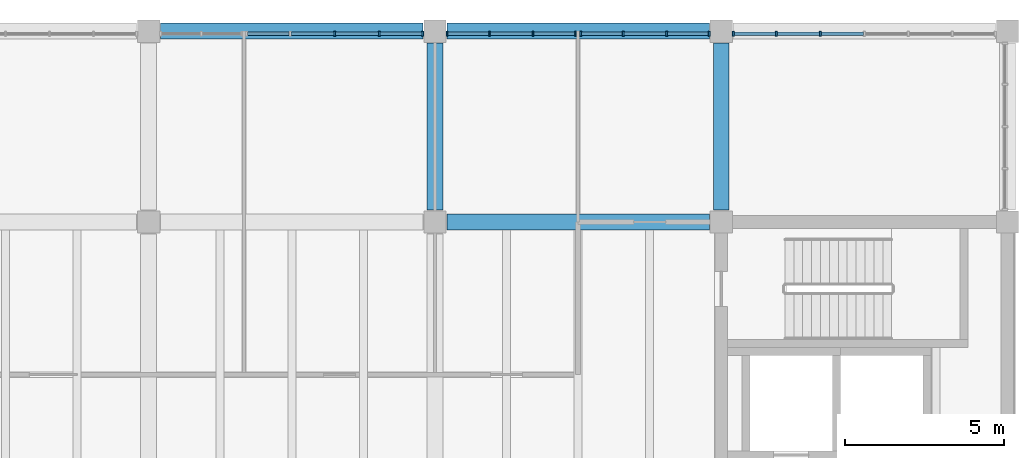
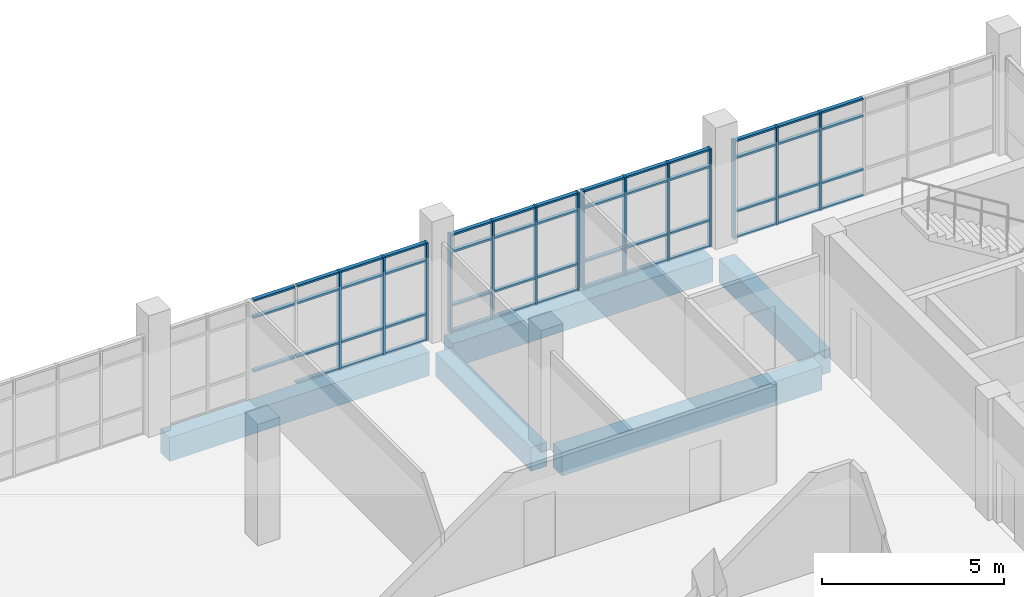
# One storey, part 5 of 14: 65 members, 5 beams, 4 elements without a shape of their own.
"""IFC4 building model written with IfcOpenShell, lengths in metres."""

from ifc_helpers import new_model, si_unit, direction, frame, origin, origin_2d, place, context, subcontext, project, spatial, rectangle, extrude, material, material_profile, profile_set, type_object, element, aggregate, save


model = new_model("IFC4")

# Units and contexts
model_context = context("Model", 3, precision=1e-05, world=origin(), true_north=direction((0.0, 1.0)))
body_context = subcontext(model_context, "Body", "Model", "MODEL_VIEW")
ifc_project = project(units=[si_unit("LENGTHUNIT", "METRE"), si_unit("AREAUNIT", "SQUARE_METRE"), si_unit("VOLUMEUNIT", "CUBIC_METRE"), si_unit("PLANEANGLEUNIT", "RADIAN"), si_unit("MASSUNIT", "GRAM", prefix="KILO")], contexts=[model_context])

# Site, building, storey
site_placement = place(None, origin())
site = spatial("IfcSite", under=ifc_project, at=site_placement, CompositionType="ELEMENT")
building_placement = place(site_placement, origin())
building = spatial("IfcBuilding", under=site, at=building_placement, Name="Merrow Basin Faculty of Sciences", CompositionType="ELEMENT")
storey_placement = place(building_placement, frame((0.0, 0.0, 36.0)))
storey = spatial("IfcBuildingStorey", under=building, at=storey_placement, Name="L08", CompositionType="ELEMENT", Elevation=36.0)

# Curtain wall, members
ifc_material_1 = material(Name="Aluminium alloy 6063", Category="aluminium")
curtain_wall_type = type_object("IfcCurtainWallType", Name="Unitised curtain wall 160", PredefinedType="NOTDEFINED", material=ifc_material_1)
curtain_wall_1_placement = place(storey_placement, origin())
curtain_wall_1 = element("IfcCurtainWall", 1, at=curtain_wall_1_placement, inside=storey, type_object=curtain_wall_type, Name="N curtain wall L08 3", PredefinedType="NOTDEFINED")
ifc_material_2 = material(Name="Aluminium alloy 6063", Category="aluminium")
ifc_material_profile_1 = material_profile(ifc_material_2, rectangle(XDim=0.159912109375, YDim=0.06005859375, at=origin_2d()))
ifc_profile_set_1 = profile_set([ifc_material_profile_1], Name="Aluminium alloy 6063")
member_type_1 = type_object("IfcMemberType", Name="Aluminium mullion 60x160", PredefinedType="MULLION", material=ifc_profile_set_1)
member_1_placement = place(storey_placement, frame((32.85009765625, 165.919921875, 0.0), z_axis=(0.0, 0.0, 1.0), x_axis=(0.0, 1.0, 0.0)))
member_1 = element("IfcMember", 2, at=member_1_placement, type_object=member_type_1, Name="CW3 mullion 3", PredefinedType="MULLION", context=body_context, shape_type="SweptSolid", body=[
    extrude(rectangle(XDim=0.159912109375, YDim=0.06005859375, at=origin_2d()), origin(), (0.0, 0.0, 1.0), 3.300048828125),
])
member_2_placement = place(storey_placement, frame((34.25, 165.919921875, 0.0), z_axis=(0.0, 0.0, 1.0), x_axis=(0.0, 1.0, 0.0)))
member_2 = element("IfcMember", 3, at=member_2_placement, type_object=member_type_1, Name="CW3 mullion 4", PredefinedType="MULLION", context=body_context, shape_type="SweptSolid", body=[
    extrude(rectangle(XDim=0.159912109375, YDim=0.06005859375, at=origin_2d()), origin(), (0.0, 0.0, 1.0), 3.300048828125),
])
member_3_placement = place(storey_placement, frame((35.6201171875, 165.919921875, 0.0), z_axis=(0.0, 0.0, 1.0), x_axis=(0.0, 1.0, 0.0)))
member_3 = element("IfcMember", 4, at=member_3_placement, type_object=member_type_1, Name="CW3 mullion 5", PredefinedType="MULLION", context=body_context, shape_type="SweptSolid", body=[
    extrude(rectangle(XDim=0.159912109375, YDim=0.06005859375, at=origin_2d()), origin(), (0.0, 0.0, 1.0), 3.300048828125),
])

curtain_wall_2_placement = place(storey_placement, origin())
curtain_wall_2 = element("IfcCurtainWall", 5, at=curtain_wall_2_placement, inside=storey, type_object=curtain_wall_type, Name="N curtain wall L08 4", PredefinedType="NOTDEFINED")
member_4_placement = place(storey_placement, frame((36.3798828125, 165.919921875, 0.0), z_axis=(0.0, 0.0, 1.0), x_axis=(0.0, 1.0, 0.0)))
member_4 = element("IfcMember", 6, at=member_4_placement, type_object=member_type_1, Name="CW3 mullion 1", PredefinedType="MULLION", context=body_context, shape_type="SweptSolid", body=[
    extrude(rectangle(XDim=0.159912109375, YDim=0.06005859375, at=origin_2d()), origin(), (0.0, 0.0, 1.0), 3.300048828125),
])
member_5_placement = place(storey_placement, frame((37.716552734375, 165.919921875, 0.0), z_axis=(0.0, 0.0, 1.0), x_axis=(0.0, 1.0, 0.0)))
member_5 = element("IfcMember", 7, at=member_5_placement, type_object=member_type_1, Name="CW3 mullion 2", PredefinedType="MULLION", context=body_context, shape_type="SweptSolid", body=[
    extrude(rectangle(XDim=0.159912109375, YDim=0.06005859375, at=origin_2d()), origin(), (0.0, 0.0, 1.0), 3.300048828125),
])
member_6_placement = place(storey_placement, frame((39.083251953125, 165.919921875, 0.0), z_axis=(0.0, 0.0, 1.0), x_axis=(0.0, 1.0, 0.0)))
member_6 = element("IfcMember", 8, at=member_6_placement, type_object=member_type_1, Name="CW3 mullion 3", PredefinedType="MULLION", context=body_context, shape_type="SweptSolid", body=[
    extrude(rectangle(XDim=0.159912109375, YDim=0.06005859375, at=origin_2d()), origin(), (0.0, 0.0, 1.0), 3.300048828125),
])
member_7_placement = place(storey_placement, frame((40.419921875, 165.919921875, 0.0), z_axis=(0.0, 0.0, 1.0), x_axis=(0.0, 1.0, 0.0)))
member_7 = element("IfcMember", 9, at=member_7_placement, type_object=member_type_1, Name="CW3 mullion 4", PredefinedType="MULLION", context=body_context, shape_type="SweptSolid", body=[
    extrude(rectangle(XDim=0.159912109375, YDim=0.06005859375, at=origin_2d()), origin(), (0.0, 0.0, 1.0), 3.300048828125),
])

curtain_wall_3_placement = place(storey_placement, origin())
curtain_wall_3 = element("IfcCurtainWall", 10, at=curtain_wall_3_placement, inside=storey, type_object=curtain_wall_type, Name="N curtain wall L08 5", PredefinedType="NOTDEFINED")
member_8_placement = place(storey_placement, frame((40.580078125, 165.919921875, 0.0), z_axis=(0.0, 0.0, 1.0), x_axis=(0.0, 1.0, 0.0)))
member_8 = element("IfcMember", 11, at=member_8_placement, type_object=member_type_1, Name="CW3 mullion 1", PredefinedType="MULLION", context=body_context, shape_type="SweptSolid", body=[
    extrude(rectangle(XDim=0.159912109375, YDim=0.06005859375, at=origin_2d()), origin(), (0.0, 0.0, 1.0), 3.300048828125),
])
member_9_placement = place(storey_placement, frame((41.916748046875, 165.919921875, 0.0), z_axis=(0.0, 0.0, 1.0), x_axis=(0.0, 1.0, 0.0)))
member_9 = element("IfcMember", 12, at=member_9_placement, type_object=member_type_1, Name="CW3 mullion 2", PredefinedType="MULLION", context=body_context, shape_type="SweptSolid", body=[
    extrude(rectangle(XDim=0.159912109375, YDim=0.06005859375, at=origin_2d()), origin(), (0.0, 0.0, 1.0), 3.300048828125),
])
member_10_placement = place(storey_placement, frame((43.283447265625, 165.919921875, 0.0), z_axis=(0.0, 0.0, 1.0), x_axis=(0.0, 1.0, 0.0)))
member_10 = element("IfcMember", 13, at=member_10_placement, type_object=member_type_1, Name="CW3 mullion 3", PredefinedType="MULLION", context=body_context, shape_type="SweptSolid", body=[
    extrude(rectangle(XDim=0.159912109375, YDim=0.06005859375, at=origin_2d()), origin(), (0.0, 0.0, 1.0), 3.300048828125),
])
member_11_placement = place(storey_placement, frame((44.6201171875, 165.919921875, 0.0), z_axis=(0.0, 0.0, 1.0), x_axis=(0.0, 1.0, 0.0)))
member_11 = element("IfcMember", 14, at=member_11_placement, type_object=member_type_1, Name="CW3 mullion 4", PredefinedType="MULLION", context=body_context, shape_type="SweptSolid", body=[
    extrude(rectangle(XDim=0.159912109375, YDim=0.06005859375, at=origin_2d()), origin(), (0.0, 0.0, 1.0), 3.300048828125),
])

curtain_wall_4_placement = place(storey_placement, origin())
curtain_wall_4 = element("IfcCurtainWall", 15, at=curtain_wall_4_placement, inside=storey, type_object=curtain_wall_type, Name="N curtain wall L08 6", PredefinedType="NOTDEFINED")
member_12_placement = place(storey_placement, frame((45.3798828125, 165.919921875, 0.0), z_axis=(0.0, 0.0, 1.0), x_axis=(0.0, 1.0, 0.0)))
member_12 = element("IfcMember", 16, at=member_12_placement, type_object=member_type_1, Name="CW3 mullion 1", PredefinedType="MULLION", context=body_context, shape_type="SweptSolid", body=[
    extrude(rectangle(XDim=0.159912109375, YDim=0.06005859375, at=origin_2d()), origin(), (0.0, 0.0, 1.0), 3.300048828125),
])
member_13_placement = place(storey_placement, frame((46.7333984375, 165.919921875, 0.0), z_axis=(0.0, 0.0, 1.0), x_axis=(0.0, 1.0, 0.0)))
member_13 = element("IfcMember", 17, at=member_13_placement, type_object=member_type_1, Name="CW3 mullion 2", PredefinedType="MULLION", context=body_context, shape_type="SweptSolid", body=[
    extrude(rectangle(XDim=0.159912109375, YDim=0.06005859375, at=origin_2d()), origin(), (0.0, 0.0, 1.0), 3.300048828125),
])
member_14_placement = place(storey_placement, frame((48.11669921875, 165.919921875, 0.0), z_axis=(0.0, 0.0, 1.0), x_axis=(0.0, 1.0, 0.0)))
member_14 = element("IfcMember", 18, at=member_14_placement, type_object=member_type_1, Name="CW3 mullion 3", PredefinedType="MULLION", context=body_context, shape_type="SweptSolid", body=[
    extrude(rectangle(XDim=0.159912109375, YDim=0.06005859375, at=origin_2d()), origin(), (0.0, 0.0, 1.0), 3.300048828125),
])

# Member
ifc_material_3 = material(Name="Aluminium alloy 6063", Category="aluminium")
ifc_material_profile_2 = material_profile(ifc_material_3, rectangle(XDim=0.1201171875, YDim=0.06005859375, at=origin_2d()))
ifc_profile_set_2 = profile_set([ifc_material_profile_2], Name="Aluminium alloy 6063")
member_type_2 = type_object("IfcMemberType", Name="Aluminium transom 60x120", PredefinedType="USERDEFINED", material=ifc_profile_set_2)
member_15_placement = place(storey_placement, frame((30.110107421875, 165.919921875, 0.89990234375), z_axis=(1.0, 0.0, 0.0), x_axis=(0.0, 1.0, 0.0)))
member_15 = element("IfcMember", 19, at=member_15_placement, type_object=member_type_2, Name="CW3 transom 1.2", ObjectType="TRANSOM", PredefinedType="USERDEFINED", context=body_context, shape_type="SweptSolid", body=[
    extrude(rectangle(XDim=0.1201171875, YDim=0.06005859375, at=origin_2d()), origin(), (0.0, 0.0, 1.0), 1.309814453125),
])

member_16_placement = place(storey_placement, frame((30.110107421875, 165.919921875, 2.699951171875), z_axis=(1.0, 0.0, 0.0), x_axis=(0.0, 1.0, 0.0)))
member_16 = element("IfcMember", 20, at=member_16_placement, type_object=member_type_2, Name="CW3 transom 1.3", ObjectType="TRANSOM", PredefinedType="USERDEFINED", context=body_context, shape_type="SweptSolid", body=[
    extrude(rectangle(XDim=0.1201171875, YDim=0.06005859375, at=origin_2d()), origin(), (0.0, 0.0, 1.0), 1.309814453125),
])

member_17_placement = place(storey_placement, frame((30.110107421875, 165.919921875, 3.27001953125), z_axis=(1.0, 0.0, 0.0), x_axis=(0.0, 1.0, 0.0)))
member_17 = element("IfcMember", 21, at=member_17_placement, type_object=member_type_2, Name="CW3 transom 1.4", ObjectType="TRANSOM", PredefinedType="USERDEFINED", context=body_context, shape_type="SweptSolid", body=[
    extrude(rectangle(XDim=0.1201171875, YDim=0.06005859375, at=origin_2d()), origin(), (0.0, 0.0, 1.0), 1.309814453125),
])

member_18_placement = place(storey_placement, frame((31.47998046875, 165.919921875, 0.030029296875), z_axis=(1.0, 0.0, 0.0), x_axis=(0.0, 1.0, 0.0)))
member_18 = element("IfcMember", 22, at=member_18_placement, type_object=member_type_2, Name="CW3 transom 2.1", ObjectType="TRANSOM", PredefinedType="USERDEFINED", context=body_context, shape_type="SweptSolid", body=[
    extrude(rectangle(XDim=0.1201171875, YDim=0.06005859375, at=origin_2d()), origin(), (0.0, 0.0, 1.0), 1.340087890625),
])

member_19_placement = place(storey_placement, frame((31.47998046875, 165.919921875, 0.89990234375), z_axis=(1.0, 0.0, 0.0), x_axis=(0.0, 1.0, 0.0)))
member_19 = element("IfcMember", 23, at=member_19_placement, type_object=member_type_2, Name="CW3 transom 2.2", ObjectType="TRANSOM", PredefinedType="USERDEFINED", context=body_context, shape_type="SweptSolid", body=[
    extrude(rectangle(XDim=0.1201171875, YDim=0.06005859375, at=origin_2d()), origin(), (0.0, 0.0, 1.0), 1.340087890625),
])

member_20_placement = place(storey_placement, frame((31.47998046875, 165.919921875, 2.699951171875), z_axis=(1.0, 0.0, 0.0), x_axis=(0.0, 1.0, 0.0)))
member_20 = element("IfcMember", 24, at=member_20_placement, type_object=member_type_2, Name="CW3 transom 2.3", ObjectType="TRANSOM", PredefinedType="USERDEFINED", context=body_context, shape_type="SweptSolid", body=[
    extrude(rectangle(XDim=0.1201171875, YDim=0.06005859375, at=origin_2d()), origin(), (0.0, 0.0, 1.0), 1.340087890625),
])

member_21_placement = place(storey_placement, frame((31.47998046875, 165.919921875, 3.27001953125), z_axis=(1.0, 0.0, 0.0), x_axis=(0.0, 1.0, 0.0)))
member_21 = element("IfcMember", 25, at=member_21_placement, type_object=member_type_2, Name="CW3 transom 2.4", ObjectType="TRANSOM", PredefinedType="USERDEFINED", context=body_context, shape_type="SweptSolid", body=[
    extrude(rectangle(XDim=0.1201171875, YDim=0.06005859375, at=origin_2d()), origin(), (0.0, 0.0, 1.0), 1.340087890625),
])

member_22_placement = place(storey_placement, frame((32.8798828125, 165.919921875, 0.030029296875), z_axis=(1.0, 0.0, 0.0), x_axis=(0.0, 1.0, 0.0)))
member_22 = element("IfcMember", 26, at=member_22_placement, type_object=member_type_2, Name="CW3 transom 3.1", ObjectType="TRANSOM", PredefinedType="USERDEFINED", context=body_context, shape_type="SweptSolid", body=[
    extrude(rectangle(XDim=0.1201171875, YDim=0.06005859375, at=origin_2d()), origin(), (0.0, 0.0, 1.0), 1.340087890625),
])

member_23_placement = place(storey_placement, frame((32.8798828125, 165.919921875, 0.89990234375), z_axis=(1.0, 0.0, 0.0), x_axis=(0.0, 1.0, 0.0)))
member_23 = element("IfcMember", 27, at=member_23_placement, type_object=member_type_2, Name="CW3 transom 3.2", ObjectType="TRANSOM", PredefinedType="USERDEFINED", context=body_context, shape_type="SweptSolid", body=[
    extrude(rectangle(XDim=0.1201171875, YDim=0.06005859375, at=origin_2d()), origin(), (0.0, 0.0, 1.0), 1.340087890625),
])

member_24_placement = place(storey_placement, frame((32.8798828125, 165.919921875, 2.699951171875), z_axis=(1.0, 0.0, 0.0), x_axis=(0.0, 1.0, 0.0)))
member_24 = element("IfcMember", 28, at=member_24_placement, type_object=member_type_2, Name="CW3 transom 3.3", ObjectType="TRANSOM", PredefinedType="USERDEFINED", context=body_context, shape_type="SweptSolid", body=[
    extrude(rectangle(XDim=0.1201171875, YDim=0.06005859375, at=origin_2d()), origin(), (0.0, 0.0, 1.0), 1.340087890625),
])

member_25_placement = place(storey_placement, frame((32.8798828125, 165.919921875, 3.27001953125), z_axis=(1.0, 0.0, 0.0), x_axis=(0.0, 1.0, 0.0)))
member_25 = element("IfcMember", 29, at=member_25_placement, type_object=member_type_2, Name="CW3 transom 3.4", ObjectType="TRANSOM", PredefinedType="USERDEFINED", context=body_context, shape_type="SweptSolid", body=[
    extrude(rectangle(XDim=0.1201171875, YDim=0.06005859375, at=origin_2d()), origin(), (0.0, 0.0, 1.0), 1.340087890625),
])

member_26_placement = place(storey_placement, frame((34.280029296875, 165.919921875, 0.030029296875), z_axis=(1.0, 0.0, 0.0), x_axis=(0.0, 1.0, 0.0)))
member_26 = element("IfcMember", 30, at=member_26_placement, type_object=member_type_2, Name="CW3 transom 4.1", ObjectType="TRANSOM", PredefinedType="USERDEFINED", context=body_context, shape_type="SweptSolid", body=[
    extrude(rectangle(XDim=0.1201171875, YDim=0.06005859375, at=origin_2d()), origin(), (0.0, 0.0, 1.0), 1.31005859375),
])

member_27_placement = place(storey_placement, frame((34.280029296875, 165.919921875, 0.89990234375), z_axis=(1.0, 0.0, 0.0), x_axis=(0.0, 1.0, 0.0)))
member_27 = element("IfcMember", 31, at=member_27_placement, type_object=member_type_2, Name="CW3 transom 4.2", ObjectType="TRANSOM", PredefinedType="USERDEFINED", context=body_context, shape_type="SweptSolid", body=[
    extrude(rectangle(XDim=0.1201171875, YDim=0.06005859375, at=origin_2d()), origin(), (0.0, 0.0, 1.0), 1.31005859375),
])

member_28_placement = place(storey_placement, frame((34.280029296875, 165.919921875, 2.699951171875), z_axis=(1.0, 0.0, 0.0), x_axis=(0.0, 1.0, 0.0)))
member_28 = element("IfcMember", 32, at=member_28_placement, type_object=member_type_2, Name="CW3 transom 4.3", ObjectType="TRANSOM", PredefinedType="USERDEFINED", context=body_context, shape_type="SweptSolid", body=[
    extrude(rectangle(XDim=0.1201171875, YDim=0.06005859375, at=origin_2d()), origin(), (0.0, 0.0, 1.0), 1.31005859375),
])

member_29_placement = place(storey_placement, frame((34.280029296875, 165.919921875, 3.27001953125), z_axis=(1.0, 0.0, 0.0), x_axis=(0.0, 1.0, 0.0)))
member_29 = element("IfcMember", 33, at=member_29_placement, type_object=member_type_2, Name="CW3 transom 4.4", ObjectType="TRANSOM", PredefinedType="USERDEFINED", context=body_context, shape_type="SweptSolid", body=[
    extrude(rectangle(XDim=0.1201171875, YDim=0.06005859375, at=origin_2d()), origin(), (0.0, 0.0, 1.0), 1.31005859375),
])

aggregate(curtain_wall_1, [member_1, member_2, member_3, member_15, member_16, member_17, member_18, member_19, member_20, member_21, member_22, member_23, member_24, member_25, member_26, member_27, member_28, member_29])

member_30_placement = place(storey_placement, frame((36.409912109375, 165.919921875, 0.030029296875), z_axis=(1.0, 0.0, 0.0), x_axis=(0.0, 1.0, 0.0)))
member_30 = element("IfcMember", 34, at=member_30_placement, type_object=member_type_2, Name="CW3 transom 1.1", ObjectType="TRANSOM", PredefinedType="USERDEFINED", context=body_context, shape_type="SweptSolid", body=[
    extrude(rectangle(XDim=0.1201171875, YDim=0.06005859375, at=origin_2d()), origin(), (0.0, 0.0, 1.0), 1.27685546875),
])

member_31_placement = place(storey_placement, frame((36.409912109375, 165.919921875, 0.89990234375), z_axis=(1.0, 0.0, 0.0), x_axis=(0.0, 1.0, 0.0)))
member_31 = element("IfcMember", 35, at=member_31_placement, type_object=member_type_2, Name="CW3 transom 1.2", ObjectType="TRANSOM", PredefinedType="USERDEFINED", context=body_context, shape_type="SweptSolid", body=[
    extrude(rectangle(XDim=0.1201171875, YDim=0.06005859375, at=origin_2d()), origin(), (0.0, 0.0, 1.0), 1.27685546875),
])

member_32_placement = place(storey_placement, frame((36.409912109375, 165.919921875, 2.699951171875), z_axis=(1.0, 0.0, 0.0), x_axis=(0.0, 1.0, 0.0)))
member_32 = element("IfcMember", 36, at=member_32_placement, type_object=member_type_2, Name="CW3 transom 1.3", ObjectType="TRANSOM", PredefinedType="USERDEFINED", context=body_context, shape_type="SweptSolid", body=[
    extrude(rectangle(XDim=0.1201171875, YDim=0.06005859375, at=origin_2d()), origin(), (0.0, 0.0, 1.0), 1.27685546875),
])

member_33_placement = place(storey_placement, frame((36.409912109375, 165.919921875, 3.27001953125), z_axis=(1.0, 0.0, 0.0), x_axis=(0.0, 1.0, 0.0)))
member_33 = element("IfcMember", 37, at=member_33_placement, type_object=member_type_2, Name="CW3 transom 1.4", ObjectType="TRANSOM", PredefinedType="USERDEFINED", context=body_context, shape_type="SweptSolid", body=[
    extrude(rectangle(XDim=0.1201171875, YDim=0.06005859375, at=origin_2d()), origin(), (0.0, 0.0, 1.0), 1.27685546875),
])

member_34_placement = place(storey_placement, frame((37.74658203125, 165.919921875, 0.030029296875), z_axis=(1.0, 0.0, 0.0), x_axis=(0.0, 1.0, 0.0)))
member_34 = element("IfcMember", 38, at=member_34_placement, type_object=member_type_2, Name="CW3 transom 2.1", ObjectType="TRANSOM", PredefinedType="USERDEFINED", context=body_context, shape_type="SweptSolid", body=[
    extrude(rectangle(XDim=0.1201171875, YDim=0.06005859375, at=origin_2d()), origin(), (0.0, 0.0, 1.0), 1.306640625),
])

member_35_placement = place(storey_placement, frame((37.74658203125, 165.919921875, 0.89990234375), z_axis=(1.0, 0.0, 0.0), x_axis=(0.0, 1.0, 0.0)))
member_35 = element("IfcMember", 39, at=member_35_placement, type_object=member_type_2, Name="CW3 transom 2.2", ObjectType="TRANSOM", PredefinedType="USERDEFINED", context=body_context, shape_type="SweptSolid", body=[
    extrude(rectangle(XDim=0.1201171875, YDim=0.06005859375, at=origin_2d()), origin(), (0.0, 0.0, 1.0), 1.306640625),
])

member_36_placement = place(storey_placement, frame((37.74658203125, 165.919921875, 2.699951171875), z_axis=(1.0, 0.0, 0.0), x_axis=(0.0, 1.0, 0.0)))
member_36 = element("IfcMember", 40, at=member_36_placement, type_object=member_type_2, Name="CW3 transom 2.3", ObjectType="TRANSOM", PredefinedType="USERDEFINED", context=body_context, shape_type="SweptSolid", body=[
    extrude(rectangle(XDim=0.1201171875, YDim=0.06005859375, at=origin_2d()), origin(), (0.0, 0.0, 1.0), 1.306640625),
])

member_37_placement = place(storey_placement, frame((37.74658203125, 165.919921875, 3.27001953125), z_axis=(1.0, 0.0, 0.0), x_axis=(0.0, 1.0, 0.0)))
member_37 = element("IfcMember", 41, at=member_37_placement, type_object=member_type_2, Name="CW3 transom 2.4", ObjectType="TRANSOM", PredefinedType="USERDEFINED", context=body_context, shape_type="SweptSolid", body=[
    extrude(rectangle(XDim=0.1201171875, YDim=0.06005859375, at=origin_2d()), origin(), (0.0, 0.0, 1.0), 1.306640625),
])

member_38_placement = place(storey_placement, frame((39.11328125, 165.919921875, 0.030029296875), z_axis=(1.0, 0.0, 0.0), x_axis=(0.0, 1.0, 0.0)))
member_38 = element("IfcMember", 42, at=member_38_placement, type_object=member_type_2, Name="CW3 transom 3.1", ObjectType="TRANSOM", PredefinedType="USERDEFINED", context=body_context, shape_type="SweptSolid", body=[
    extrude(rectangle(XDim=0.1201171875, YDim=0.06005859375, at=origin_2d()), origin(), (0.0, 0.0, 1.0), 1.276611328125),
])

member_39_placement = place(storey_placement, frame((39.11328125, 165.919921875, 0.89990234375), z_axis=(1.0, 0.0, 0.0), x_axis=(0.0, 1.0, 0.0)))
member_39 = element("IfcMember", 43, at=member_39_placement, type_object=member_type_2, Name="CW3 transom 3.2", ObjectType="TRANSOM", PredefinedType="USERDEFINED", context=body_context, shape_type="SweptSolid", body=[
    extrude(rectangle(XDim=0.1201171875, YDim=0.06005859375, at=origin_2d()), origin(), (0.0, 0.0, 1.0), 1.276611328125),
])

member_40_placement = place(storey_placement, frame((39.11328125, 165.919921875, 2.699951171875), z_axis=(1.0, 0.0, 0.0), x_axis=(0.0, 1.0, 0.0)))
member_40 = element("IfcMember", 44, at=member_40_placement, type_object=member_type_2, Name="CW3 transom 3.3", ObjectType="TRANSOM", PredefinedType="USERDEFINED", context=body_context, shape_type="SweptSolid", body=[
    extrude(rectangle(XDim=0.1201171875, YDim=0.06005859375, at=origin_2d()), origin(), (0.0, 0.0, 1.0), 1.276611328125),
])

member_41_placement = place(storey_placement, frame((39.11328125, 165.919921875, 3.27001953125), z_axis=(1.0, 0.0, 0.0), x_axis=(0.0, 1.0, 0.0)))
member_41 = element("IfcMember", 45, at=member_41_placement, type_object=member_type_2, Name="CW3 transom 3.4", ObjectType="TRANSOM", PredefinedType="USERDEFINED", context=body_context, shape_type="SweptSolid", body=[
    extrude(rectangle(XDim=0.1201171875, YDim=0.06005859375, at=origin_2d()), origin(), (0.0, 0.0, 1.0), 1.276611328125),
])

aggregate(curtain_wall_2, [member_4, member_5, member_6, member_7, member_30, member_31, member_32, member_33, member_34, member_35, member_36, member_37, member_38, member_39, member_40, member_41])

member_42_placement = place(storey_placement, frame((40.610107421875, 165.919921875, 0.030029296875), z_axis=(1.0, 0.0, 0.0), x_axis=(0.0, 1.0, 0.0)))
member_42 = element("IfcMember", 46, at=member_42_placement, type_object=member_type_2, Name="CW3 transom 1.1", ObjectType="TRANSOM", PredefinedType="USERDEFINED", context=body_context, shape_type="SweptSolid", body=[
    extrude(rectangle(XDim=0.1201171875, YDim=0.06005859375, at=origin_2d()), origin(), (0.0, 0.0, 1.0), 1.276611328125),
])

member_43_placement = place(storey_placement, frame((40.610107421875, 165.919921875, 0.89990234375), z_axis=(1.0, 0.0, 0.0), x_axis=(0.0, 1.0, 0.0)))
member_43 = element("IfcMember", 47, at=member_43_placement, type_object=member_type_2, Name="CW3 transom 1.2", ObjectType="TRANSOM", PredefinedType="USERDEFINED", context=body_context, shape_type="SweptSolid", body=[
    extrude(rectangle(XDim=0.1201171875, YDim=0.06005859375, at=origin_2d()), origin(), (0.0, 0.0, 1.0), 1.276611328125),
])

member_44_placement = place(storey_placement, frame((40.610107421875, 165.919921875, 2.699951171875), z_axis=(1.0, 0.0, 0.0), x_axis=(0.0, 1.0, 0.0)))
member_44 = element("IfcMember", 48, at=member_44_placement, type_object=member_type_2, Name="CW3 transom 1.3", ObjectType="TRANSOM", PredefinedType="USERDEFINED", context=body_context, shape_type="SweptSolid", body=[
    extrude(rectangle(XDim=0.1201171875, YDim=0.06005859375, at=origin_2d()), origin(), (0.0, 0.0, 1.0), 1.276611328125),
])

member_45_placement = place(storey_placement, frame((40.610107421875, 165.919921875, 3.27001953125), z_axis=(1.0, 0.0, 0.0), x_axis=(0.0, 1.0, 0.0)))
member_45 = element("IfcMember", 49, at=member_45_placement, type_object=member_type_2, Name="CW3 transom 1.4", ObjectType="TRANSOM", PredefinedType="USERDEFINED", context=body_context, shape_type="SweptSolid", body=[
    extrude(rectangle(XDim=0.1201171875, YDim=0.06005859375, at=origin_2d()), origin(), (0.0, 0.0, 1.0), 1.276611328125),
])

member_46_placement = place(storey_placement, frame((41.94677734375, 165.919921875, 0.030029296875), z_axis=(1.0, 0.0, 0.0), x_axis=(0.0, 1.0, 0.0)))
member_46 = element("IfcMember", 50, at=member_46_placement, type_object=member_type_2, Name="CW3 transom 2.1", ObjectType="TRANSOM", PredefinedType="USERDEFINED", context=body_context, shape_type="SweptSolid", body=[
    extrude(rectangle(XDim=0.1201171875, YDim=0.06005859375, at=origin_2d()), origin(), (0.0, 0.0, 1.0), 1.306640625),
])

member_47_placement = place(storey_placement, frame((41.94677734375, 165.919921875, 0.89990234375), z_axis=(1.0, 0.0, 0.0), x_axis=(0.0, 1.0, 0.0)))
member_47 = element("IfcMember", 51, at=member_47_placement, type_object=member_type_2, Name="CW3 transom 2.2", ObjectType="TRANSOM", PredefinedType="USERDEFINED", context=body_context, shape_type="SweptSolid", body=[
    extrude(rectangle(XDim=0.1201171875, YDim=0.06005859375, at=origin_2d()), origin(), (0.0, 0.0, 1.0), 1.306640625),
])

member_48_placement = place(storey_placement, frame((41.94677734375, 165.919921875, 2.699951171875), z_axis=(1.0, 0.0, 0.0), x_axis=(0.0, 1.0, 0.0)))
member_48 = element("IfcMember", 52, at=member_48_placement, type_object=member_type_2, Name="CW3 transom 2.3", ObjectType="TRANSOM", PredefinedType="USERDEFINED", context=body_context, shape_type="SweptSolid", body=[
    extrude(rectangle(XDim=0.1201171875, YDim=0.06005859375, at=origin_2d()), origin(), (0.0, 0.0, 1.0), 1.306640625),
])

member_49_placement = place(storey_placement, frame((41.94677734375, 165.919921875, 3.27001953125), z_axis=(1.0, 0.0, 0.0), x_axis=(0.0, 1.0, 0.0)))
member_49 = element("IfcMember", 53, at=member_49_placement, type_object=member_type_2, Name="CW3 transom 2.4", ObjectType="TRANSOM", PredefinedType="USERDEFINED", context=body_context, shape_type="SweptSolid", body=[
    extrude(rectangle(XDim=0.1201171875, YDim=0.06005859375, at=origin_2d()), origin(), (0.0, 0.0, 1.0), 1.306640625),
])

member_50_placement = place(storey_placement, frame((43.313232421875, 165.919921875, 0.030029296875), z_axis=(1.0, 0.0, 0.0), x_axis=(0.0, 1.0, 0.0)))
member_50 = element("IfcMember", 54, at=member_50_placement, type_object=member_type_2, Name="CW3 transom 3.1", ObjectType="TRANSOM", PredefinedType="USERDEFINED", context=body_context, shape_type="SweptSolid", body=[
    extrude(rectangle(XDim=0.1201171875, YDim=0.06005859375, at=origin_2d()), origin(), (0.0, 0.0, 1.0), 1.27685546875),
])

member_51_placement = place(storey_placement, frame((43.313232421875, 165.919921875, 0.89990234375), z_axis=(1.0, 0.0, 0.0), x_axis=(0.0, 1.0, 0.0)))
member_51 = element("IfcMember", 55, at=member_51_placement, type_object=member_type_2, Name="CW3 transom 3.2", ObjectType="TRANSOM", PredefinedType="USERDEFINED", context=body_context, shape_type="SweptSolid", body=[
    extrude(rectangle(XDim=0.1201171875, YDim=0.06005859375, at=origin_2d()), origin(), (0.0, 0.0, 1.0), 1.27685546875),
])

member_52_placement = place(storey_placement, frame((43.313232421875, 165.919921875, 2.699951171875), z_axis=(1.0, 0.0, 0.0), x_axis=(0.0, 1.0, 0.0)))
member_52 = element("IfcMember", 56, at=member_52_placement, type_object=member_type_2, Name="CW3 transom 3.3", ObjectType="TRANSOM", PredefinedType="USERDEFINED", context=body_context, shape_type="SweptSolid", body=[
    extrude(rectangle(XDim=0.1201171875, YDim=0.06005859375, at=origin_2d()), origin(), (0.0, 0.0, 1.0), 1.27685546875),
])

member_53_placement = place(storey_placement, frame((43.313232421875, 165.919921875, 3.27001953125), z_axis=(1.0, 0.0, 0.0), x_axis=(0.0, 1.0, 0.0)))
member_53 = element("IfcMember", 57, at=member_53_placement, type_object=member_type_2, Name="CW3 transom 3.4", ObjectType="TRANSOM", PredefinedType="USERDEFINED", context=body_context, shape_type="SweptSolid", body=[
    extrude(rectangle(XDim=0.1201171875, YDim=0.06005859375, at=origin_2d()), origin(), (0.0, 0.0, 1.0), 1.27685546875),
])

aggregate(curtain_wall_3, [member_8, member_9, member_10, member_11, member_42, member_43, member_44, member_45, member_46, member_47, member_48, member_49, member_50, member_51, member_52, member_53])

member_54_placement = place(storey_placement, frame((45.409912109375, 165.919921875, 0.030029296875), z_axis=(1.0, 0.0, 0.0), x_axis=(0.0, 1.0, 0.0)))
member_54 = element("IfcMember", 58, at=member_54_placement, type_object=member_type_2, Name="CW3 transom 1.1", ObjectType="TRANSOM", PredefinedType="USERDEFINED", context=body_context, shape_type="SweptSolid", body=[
    extrude(rectangle(XDim=0.1201171875, YDim=0.06005859375, at=origin_2d()), origin(), (0.0, 0.0, 1.0), 1.29345703125),
])

member_55_placement = place(storey_placement, frame((45.409912109375, 165.919921875, 0.89990234375), z_axis=(1.0, 0.0, 0.0), x_axis=(0.0, 1.0, 0.0)))
member_55 = element("IfcMember", 59, at=member_55_placement, type_object=member_type_2, Name="CW3 transom 1.2", ObjectType="TRANSOM", PredefinedType="USERDEFINED", context=body_context, shape_type="SweptSolid", body=[
    extrude(rectangle(XDim=0.1201171875, YDim=0.06005859375, at=origin_2d()), origin(), (0.0, 0.0, 1.0), 1.29345703125),
])

member_56_placement = place(storey_placement, frame((45.409912109375, 165.919921875, 2.699951171875), z_axis=(1.0, 0.0, 0.0), x_axis=(0.0, 1.0, 0.0)))
member_56 = element("IfcMember", 60, at=member_56_placement, type_object=member_type_2, Name="CW3 transom 1.3", ObjectType="TRANSOM", PredefinedType="USERDEFINED", context=body_context, shape_type="SweptSolid", body=[
    extrude(rectangle(XDim=0.1201171875, YDim=0.06005859375, at=origin_2d()), origin(), (0.0, 0.0, 1.0), 1.29345703125),
])

member_57_placement = place(storey_placement, frame((45.409912109375, 165.919921875, 3.27001953125), z_axis=(1.0, 0.0, 0.0), x_axis=(0.0, 1.0, 0.0)))
member_57 = element("IfcMember", 61, at=member_57_placement, type_object=member_type_2, Name="CW3 transom 1.4", ObjectType="TRANSOM", PredefinedType="USERDEFINED", context=body_context, shape_type="SweptSolid", body=[
    extrude(rectangle(XDim=0.1201171875, YDim=0.06005859375, at=origin_2d()), origin(), (0.0, 0.0, 1.0), 1.29345703125),
])

member_58_placement = place(storey_placement, frame((46.763427734375, 165.919921875, 0.030029296875), z_axis=(1.0, 0.0, 0.0), x_axis=(0.0, 1.0, 0.0)))
member_58 = element("IfcMember", 62, at=member_58_placement, type_object=member_type_2, Name="CW3 transom 2.1", ObjectType="TRANSOM", PredefinedType="USERDEFINED", context=body_context, shape_type="SweptSolid", body=[
    extrude(rectangle(XDim=0.1201171875, YDim=0.06005859375, at=origin_2d()), origin(), (0.0, 0.0, 1.0), 1.3232421875),
])

member_59_placement = place(storey_placement, frame((46.763427734375, 165.919921875, 0.89990234375), z_axis=(1.0, 0.0, 0.0), x_axis=(0.0, 1.0, 0.0)))
member_59 = element("IfcMember", 63, at=member_59_placement, type_object=member_type_2, Name="CW3 transom 2.2", ObjectType="TRANSOM", PredefinedType="USERDEFINED", context=body_context, shape_type="SweptSolid", body=[
    extrude(rectangle(XDim=0.1201171875, YDim=0.06005859375, at=origin_2d()), origin(), (0.0, 0.0, 1.0), 1.3232421875),
])

member_60_placement = place(storey_placement, frame((46.763427734375, 165.919921875, 2.699951171875), z_axis=(1.0, 0.0, 0.0), x_axis=(0.0, 1.0, 0.0)))
member_60 = element("IfcMember", 64, at=member_60_placement, type_object=member_type_2, Name="CW3 transom 2.3", ObjectType="TRANSOM", PredefinedType="USERDEFINED", context=body_context, shape_type="SweptSolid", body=[
    extrude(rectangle(XDim=0.1201171875, YDim=0.06005859375, at=origin_2d()), origin(), (0.0, 0.0, 1.0), 1.3232421875),
])

member_61_placement = place(storey_placement, frame((46.763427734375, 165.919921875, 3.27001953125), z_axis=(1.0, 0.0, 0.0), x_axis=(0.0, 1.0, 0.0)))
member_61 = element("IfcMember", 65, at=member_61_placement, type_object=member_type_2, Name="CW3 transom 2.4", ObjectType="TRANSOM", PredefinedType="USERDEFINED", context=body_context, shape_type="SweptSolid", body=[
    extrude(rectangle(XDim=0.1201171875, YDim=0.06005859375, at=origin_2d()), origin(), (0.0, 0.0, 1.0), 1.3232421875),
])

member_62_placement = place(storey_placement, frame((48.146728515625, 165.919921875, 0.030029296875), z_axis=(1.0, 0.0, 0.0), x_axis=(0.0, 1.0, 0.0)))
member_62 = element("IfcMember", 66, at=member_62_placement, type_object=member_type_2, Name="CW3 transom 3.1", ObjectType="TRANSOM", PredefinedType="USERDEFINED", context=body_context, shape_type="SweptSolid", body=[
    extrude(rectangle(XDim=0.1201171875, YDim=0.06005859375, at=origin_2d()), origin(), (0.0, 0.0, 1.0), 1.3232421875),
])

member_63_placement = place(storey_placement, frame((48.146728515625, 165.919921875, 0.89990234375), z_axis=(1.0, 0.0, 0.0), x_axis=(0.0, 1.0, 0.0)))
member_63 = element("IfcMember", 67, at=member_63_placement, type_object=member_type_2, Name="CW3 transom 3.2", ObjectType="TRANSOM", PredefinedType="USERDEFINED", context=body_context, shape_type="SweptSolid", body=[
    extrude(rectangle(XDim=0.1201171875, YDim=0.06005859375, at=origin_2d()), origin(), (0.0, 0.0, 1.0), 1.3232421875),
])

member_64_placement = place(storey_placement, frame((48.146728515625, 165.919921875, 2.699951171875), z_axis=(1.0, 0.0, 0.0), x_axis=(0.0, 1.0, 0.0)))
member_64 = element("IfcMember", 68, at=member_64_placement, type_object=member_type_2, Name="CW3 transom 3.3", ObjectType="TRANSOM", PredefinedType="USERDEFINED", context=body_context, shape_type="SweptSolid", body=[
    extrude(rectangle(XDim=0.1201171875, YDim=0.06005859375, at=origin_2d()), origin(), (0.0, 0.0, 1.0), 1.3232421875),
])

member_65_placement = place(storey_placement, frame((48.146728515625, 165.919921875, 3.27001953125), z_axis=(1.0, 0.0, 0.0), x_axis=(0.0, 1.0, 0.0)))
member_65 = element("IfcMember", 69, at=member_65_placement, type_object=member_type_2, Name="CW3 transom 3.4", ObjectType="TRANSOM", PredefinedType="USERDEFINED", context=body_context, shape_type="SweptSolid", body=[
    extrude(rectangle(XDim=0.1201171875, YDim=0.06005859375, at=origin_2d()), origin(), (0.0, 0.0, 1.0), 1.3232421875),
])

aggregate(curtain_wall_4, [member_12, member_13, member_14, member_54, member_55, member_56, member_57, member_58, member_59, member_60, member_61, member_62, member_63, member_64, member_65])

# Beams
ifc_material_4 = material(Name="Concrete C40/50", Category="concrete")
ifc_material_profile_3 = material_profile(ifc_material_4, rectangle(XDim=0.5, YDim=0.800048828125, at=origin_2d()))
ifc_profile_set_3 = profile_set([ifc_material_profile_3], Name="Concrete C40/50")
beam_type = type_object("IfcBeamType", Name="Beam RC500x800 C40/50", PredefinedType="BEAM", material=ifc_profile_set_3)
for number, where, z_axis, x_axis, name in (
    (70, (36.375, 160.0, -0.699951171875), (1.0, 0.0, 0.0), (0.0, 1.0, 0.0), "B4 L08 008"),
    (71, (27.375, 166.0, -0.699951171875), (1.0, 0.0, 0.0), (0.0, 1.0, 0.0), "B4 L08 010"),
    (72, (36.375, 166.0, -0.699951171875), (1.0, 0.0, 0.0), (0.0, 1.0, 0.0), "B4 L08 011"),
):
    element("IfcBeam", number, at=place(storey_placement, frame(where, z_axis=z_axis, x_axis=x_axis)), inside=storey, type_object=beam_type, Name=name, PredefinedType="BEAM", context=body_context, shape_type="SweptSolid", body=[
        extrude(rectangle(XDim=0.5, YDim=0.800048828125, at=origin_2d()), origin(), (0.0, 0.0, 1.0), 8.25),
    ])
for number, where, z_axis, x_axis, name in (
    (73, (36.0, 160.375, -0.699951171875), (0.0, 1.0, 0.0), (-1.0, 0.0, 0.0), "B4 L08 019"),
    (74, (45.0, 160.375, -0.699951171875), (0.0, 1.0, 0.0), (-1.0, 0.0, 0.0), "B4 L08 020"),
):
    element("IfcBeam", number, at=place(storey_placement, frame(where, z_axis=z_axis, x_axis=x_axis)), inside=storey, type_object=beam_type, Name=name, PredefinedType="BEAM", context=body_context, shape_type="SweptSolid", body=[
        extrude(rectangle(XDim=0.5, YDim=0.800048828125, at=origin_2d()), origin(), (0.0, 0.0, 1.0), 5.25),
    ])

save(model, "model.ifc")
